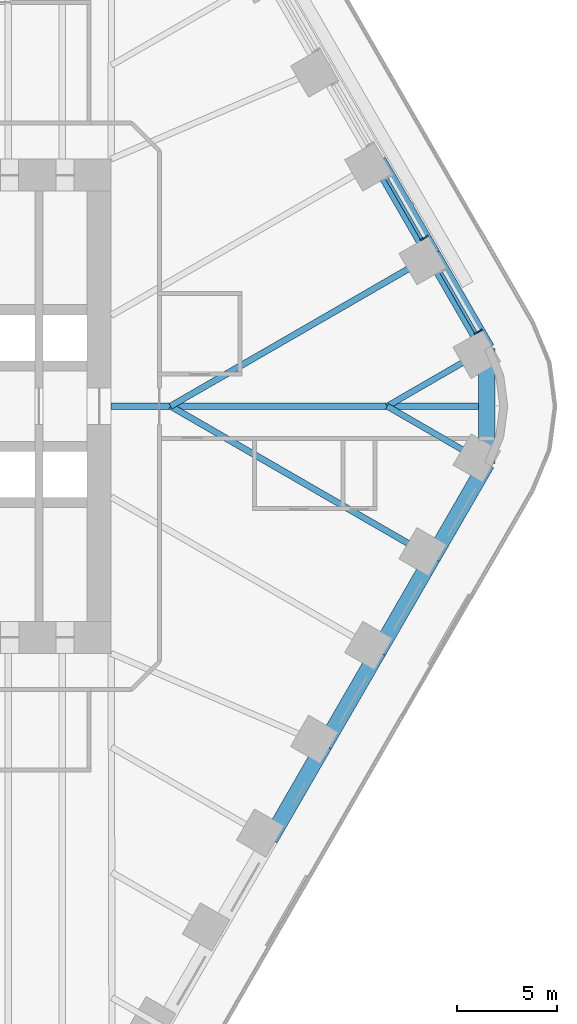
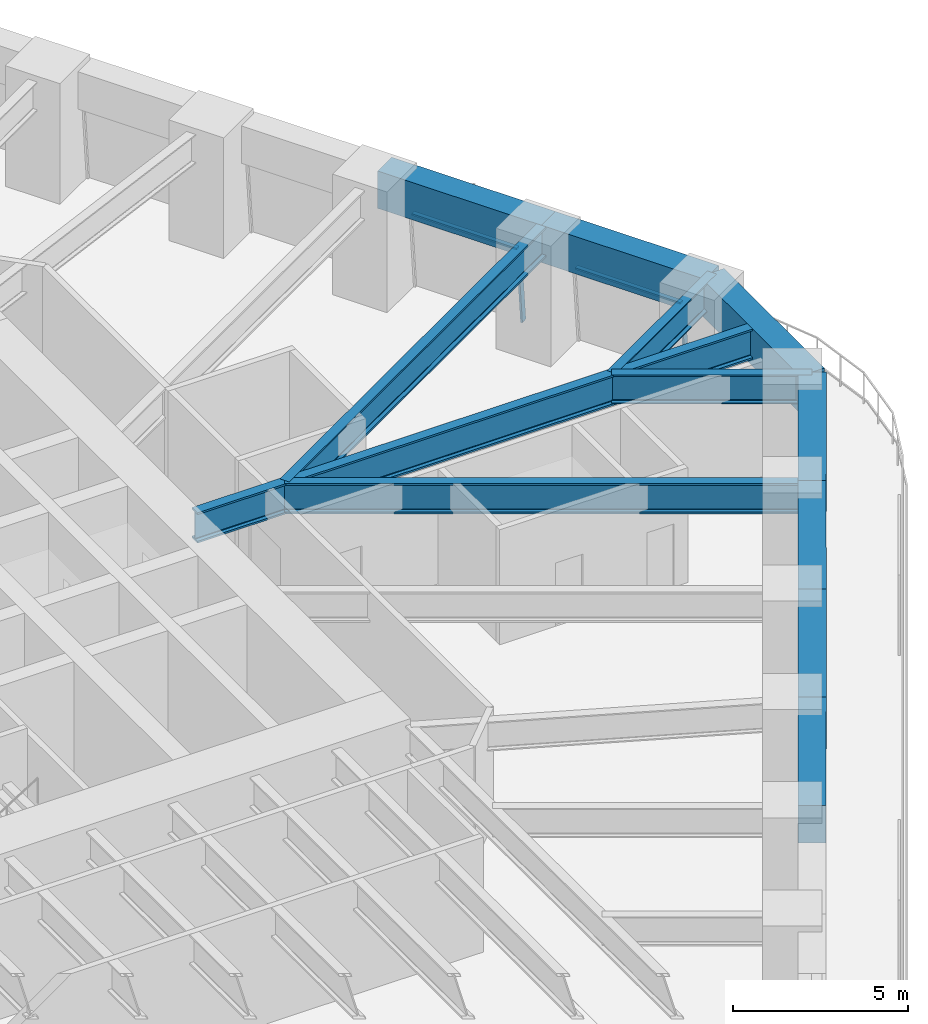
# One storey, part 12 of 23: 12 beams, 4 members, 2 elements without a shape of their own.
"""IFC4 building model written with IfcOpenShell, lengths in metres."""

from ifc_helpers import new_model, si_unit, direction, frame, origin, origin_2d, place, context, subcontext, project, spatial, rectangle, i_section, extrude, material, material_profile, profile_set, type_object, element, aggregate, save


model = new_model("IFC4")

# Units and contexts
model_context = context("Model", 3, precision=1e-05, world=origin(), true_north=direction((0.0, 1.0)))
body_context = subcontext(model_context, "Body", "Model", "MODEL_VIEW")
ifc_project = project(units=[si_unit("LENGTHUNIT", "METRE"), si_unit("AREAUNIT", "SQUARE_METRE"), si_unit("VOLUMEUNIT", "CUBIC_METRE"), si_unit("PLANEANGLEUNIT", "RADIAN"), si_unit("MASSUNIT", "GRAM", prefix="KILO")], contexts=[model_context])

# Site, building, storey
site_placement = place(None, origin())
site = spatial("IfcSite", under=ifc_project, at=site_placement, CompositionType="ELEMENT")
building_placement = place(site_placement, origin())
building = spatial("IfcBuilding", under=site, at=building_placement, Name="Tarfa Lantern Tower", CompositionType="ELEMENT")
storey_placement = place(building_placement, frame((0.0, 0.0, 99.10009765625)))
storey = spatial("IfcBuildingStorey", under=building, at=storey_placement, Name="L22", CompositionType="ELEMENT", Elevation=99.10009765625)

# Curtain wall, member
ifc_material_1 = material(Name="Aluminium framed curtain wall", Category="aluminium")
curtain_wall_type = type_object("IfcCurtainWallType", Name="CW1 CANTED GLAZING LOW ZONE 2700", PredefinedType="USERDEFINED", material=ifc_material_1)
curtain_wall_1_placement = place(storey_placement, origin())
curtain_wall_1 = element("IfcCurtainWall", 1, at=curtain_wall_1_placement, inside=storey, type_object=curtain_wall_type, Name="CW1 NE L22", ObjectType="CURTAIN WALL", PredefinedType="USERDEFINED")
ifc_material_2 = material(Name="Aluminium mullion", Category="aluminium")
ifc_material_profile_1 = material_profile(ifc_material_2, rectangle(XDim=0.06494140625, YDim=0.199951171875, at=origin_2d()), Name="AL MULLION 65x200")
ifc_profile_set_1 = profile_set([ifc_material_profile_1], Name="Aluminium mullion")
member_type_1 = type_object("IfcMemberType", Name="CWM1 MULLION 65x200", PredefinedType="MULLION", material=ifc_profile_set_1)
member_1_placement = place(storey_placement, frame((36.974853515625, 3.757568359375, 0.0), z_axis=(-0.07986442134, -0.046099868913, 0.99573916077), x_axis=(0.499919672301, -0.866071776036, 0.0)))
member_1 = element("IfcMember", 2, at=member_1_placement, type_object=member_type_1, Name="CW1 mullion 1", PredefinedType="MULLION", context=body_context, shape_type="SweptSolid", body=[
    extrude(rectangle(XDim=0.06494140625, YDim=0.199951171875, at=origin_2d()), origin(), (0.0, 0.0, 1.0), 2.71142578125),
])

curtain_wall_2_placement = place(storey_placement, origin())
curtain_wall_2 = element("IfcCurtainWall", 3, at=curtain_wall_2_placement, inside=storey, type_object=curtain_wall_type, Name="CW1 NE L22", ObjectType="CURTAIN WALL", PredefinedType="USERDEFINED")
member_2_placement = place(storey_placement, frame((34.280517578125, 8.42431640625, 0.0), z_axis=(-0.079774955866, -0.04610020023, 0.995746317068), x_axis=(0.500342721131, -0.865827443207, 0.0)))
member_2 = element("IfcMember", 4, at=member_2_placement, type_object=member_type_1, Name="CW1 mullion 1", PredefinedType="MULLION", context=body_context, shape_type="SweptSolid", body=[
    extrude(rectangle(XDim=0.06494140625, YDim=0.199951171875, at=origin_2d()), origin(), (0.0, 0.0, 1.0), 2.71142578125),
])

# Member
ifc_material_3 = material(Name="Aluminium transom", Category="aluminium")
ifc_material_profile_2 = material_profile(ifc_material_3, rectangle(XDim=0.14990234375, YDim=0.06494140625, at=origin_2d()), Name="AL TRANSOM 150x65")
ifc_profile_set_2 = profile_set([ifc_material_profile_2], Name="Aluminium transom")
member_type_2 = type_object("IfcMemberType", Name="CWT1 TRANSOM 150x65", PredefinedType="USERDEFINED", material=ifc_profile_set_2)
member_3_placement = place(storey_placement, frame((36.744873046875, 3.662109375, 2.66748046875), z_axis=(-0.500025915891, 0.866010440721, 0.0), x_axis=(-0.866010440721, -0.500025915891, 0.0)))
member_3 = element("IfcMember", 5, at=member_3_placement, type_object=member_type_2, Name="CW1 transom 1.2", ObjectType="TRANSOM", PredefinedType="USERDEFINED", context=body_context, shape_type="SweptSolid", body=[
    extrude(rectangle(XDim=0.14990234375, YDim=0.06494140625, at=origin_2d()), origin(), (0.0, 0.0, 1.0), 3.458740234375),
])

aggregate(curtain_wall_1, [member_1, member_3])

member_4_placement = place(storey_placement, frame((34.050537109375, 8.328857421875, 2.66748046875), z_axis=(-0.500025915891, 0.866010440721, 0.0), x_axis=(-0.866010440721, -0.500025915891, 0.0)))
member_4 = element("IfcMember", 6, at=member_4_placement, type_object=member_type_2, Name="CW1 transom 1.2", ObjectType="TRANSOM", PredefinedType="USERDEFINED", context=body_context, shape_type="SweptSolid", body=[
    extrude(rectangle(XDim=0.14990234375, YDim=0.06494140625, at=origin_2d()), origin(), (0.0, 0.0, 1.0), 3.458740234375),
])

aggregate(curtain_wall_2, [member_2, member_4])

# Beams
ifc_material_4 = material(Name="Concrete C80/95", Category="concrete")
ifc_material_profile_3 = material_profile(ifc_material_4, rectangle(XDim=0.800048828125, YDim=1.300048828125, at=origin_2d()), Name="RC 800x1300")
ifc_profile_set_3 = profile_set([ifc_material_profile_3], Name="Concrete C80/95")
beam_type_1 = type_object("IfcBeamType", Name="EB1 RC 800x1300", PredefinedType="SPANDREL", material=ifc_profile_set_3)
beam_1_placement = place(storey_placement, frame((37.285400390625, 2.860107421875, 3.349853515625), z_axis=(-0.500017906299, 0.866015065331, 0.0), x_axis=(-0.866015065331, -0.500017906299, 0.0)))
element("IfcBeam", 7, at=beam_1_placement, inside=storey, type_object=beam_type_1, Name="Edge beam NE0", PredefinedType="SPANDREL", context=body_context, shape_type="SweptSolid", body=[
    extrude(rectangle(XDim=0.800048828125, YDim=1.300048828125, at=origin_2d()), origin(), (0.0, 0.0, 1.0), 5.388427734375),
])
beam_2_placement = place(storey_placement, frame((34.591064453125, 7.526611328125, 3.349853515625), z_axis=(-0.499998287579, 0.866026392449, 0.0), x_axis=(-0.866026392449, -0.499998287579, 0.0)))
element("IfcBeam", 8, at=beam_2_placement, inside=storey, type_object=beam_type_1, Name="Edge beam NE1", PredefinedType="SPANDREL", context=body_context, shape_type="SweptSolid", body=[
    extrude(rectangle(XDim=0.800048828125, YDim=1.300048828125, at=origin_2d()), origin(), (0.0, 0.0, 1.0), 5.388671875),
])
beam_3_placement = place(storey_placement, frame((26.508056640625, -21.526611328125, 3.349853515625), z_axis=(0.500017906299, 0.866015065331, 0.0), x_axis=(-0.866015065331, 0.500017906299, 0.0)))
element("IfcBeam", 9, at=beam_3_placement, inside=storey, type_object=beam_type_1, Name="Edge beam SE2", PredefinedType="SPANDREL", context=body_context, shape_type="SweptSolid", body=[
    extrude(rectangle(XDim=0.800048828125, YDim=1.300048828125, at=origin_2d()), origin(), (0.0, 0.0, 1.0), 5.388427734375),
])
for number, where, z_axis, x_axis, name in (
    (10, (29.202392578125, -16.860107421875, 3.349853515625), (0.499998287579, 0.866026392449, 0.0), (-0.866026392449, 0.499998287579, 0.0), "Edge beam SE3"),
    (11, (31.896728515625, -12.193359375, 3.349853515625), (0.499998287579, 0.866026392449, 0.0), (-0.866026392449, 0.499998287579, 0.0), "Edge beam SE4"),
):
    element("IfcBeam", number, at=place(storey_placement, frame(where, z_axis=z_axis, x_axis=x_axis)), inside=storey, type_object=beam_type_1, Name=name, PredefinedType="SPANDREL", context=body_context, shape_type="SweptSolid", body=[
        extrude(rectangle(XDim=0.800048828125, YDim=1.300048828125, at=origin_2d()), origin(), (0.0, 0.0, 1.0), 5.388671875),
    ])
beam_4_placement = place(storey_placement, frame((34.591064453125, -7.526611328125, 3.349853515625), z_axis=(0.500017906299, 0.866015065331, 0.0), x_axis=(-0.866015065331, 0.500017906299, 0.0)))
element("IfcBeam", 12, at=beam_4_placement, inside=storey, type_object=beam_type_1, Name="Edge beam SE5", PredefinedType="SPANDREL", context=body_context, shape_type="SweptSolid", body=[
    extrude(rectangle(XDim=0.800048828125, YDim=1.300048828125, at=origin_2d()), origin(), (0.0, 0.0, 1.0), 5.388427734375),
])
beam_5_placement = place(storey_placement, frame((37.285400390625, -2.860107421875, 3.349853515625), z_axis=(0.0, 1.0, 0.0), x_axis=(-1.0, 0.0, 0.0)))
element("IfcBeam", 13, at=beam_5_placement, inside=storey, type_object=beam_type_1, Name="Edge beam SE6", PredefinedType="SPANDREL", context=body_context, shape_type="SweptSolid", body=[
    extrude(rectangle(XDim=0.800048828125, YDim=1.300048828125, at=origin_2d()), origin(), (0.0, 0.0, 1.0), 5.72021484375),
])
ifc_material_5 = material(Name="Steel S460M", Category="steel")
ifc_material_profile_4 = material_profile(ifc_material_5, i_section(OverallWidth=0.302001953125, OverallDepth=1.008056640625, WebThickness=0.02099609375, FlangeThickness=0.0400390625, FilletRadius=0.030029296875, at=origin_2d()), Name="UB1016x305x349")
ifc_profile_set_4 = profile_set([ifc_material_profile_4], Name="Steel S460M")
beam_type_2 = type_object("IfcBeamType", Name="UB1016x305x349", PredefinedType="BEAM", material=ifc_profile_set_4)
for number, where, z_axis, x_axis, name in (
    (14, (37.285400390625, 2.860107421875, 3.495849609375), (-0.866025668288, -0.499999541866, 0.0), (0.499999541866, -0.866025668288, 0.0), "Floor beam NE0"),
    (15, (37.285400390625, -2.860107421875, 3.495849609375), (-0.866025668288, 0.499999541866, 0.0), (-0.499999541866, -0.866025668288, 0.0), "Floor beam SE6"),
):
    element("IfcBeam", number, at=place(storey_placement, frame(where, z_axis=z_axis, x_axis=x_axis)), inside=storey, type_object=beam_type_2, Name=name, PredefinedType="BEAM", context=body_context, shape_type="SweptSolid", body=[
        extrude(i_section(OverallWidth=0.302001953125, OverallDepth=1.008056640625, WebThickness=0.02099609375, FlangeThickness=0.0400390625, FilletRadius=0.030029296875, at=origin_2d()), origin(), (0.0, 0.0, 1.0), 5.72021484375),
    ])
ifc_material_profile_5 = material_profile(ifc_material_5, i_section(OverallWidth=0.314208984375, OverallDepth=1.055908203125, WebThickness=0.035888671875, FlangeThickness=0.06396484375, FilletRadius=0.030029296875, at=origin_2d()), Name="UB1016x305x584")
ifc_profile_set_5 = profile_set([ifc_material_profile_5], Name="Steel S460M")
beam_type_3 = type_object("IfcBeamType", Name="UB1016x305x584", PredefinedType="BEAM", material=ifc_profile_set_5)
beam_6_placement = place(storey_placement, frame((18.60009765625, 0.0, 3.471923828125), z_axis=(1.0, 0.0, 0.0), x_axis=(0.0, 1.0, 0.0)))
element("IfcBeam", 16, at=beam_6_placement, inside=storey, type_object=beam_type_3, Name="Hip girder E", PredefinedType="BEAM", context=body_context, shape_type="SweptSolid", body=[
    extrude(i_section(OverallWidth=0.314208984375, OverallDepth=1.055908203125, WebThickness=0.035888671875, FlangeThickness=0.06396484375, FilletRadius=0.030029296875, at=origin_2d()), origin(), (0.0, 0.0, 1.0), 18.685302734375),
])
for number, where, z_axis, x_axis, name in (
    (17, (34.591064453125, 7.526611328125, 3.471923828125), (-0.86602785945, -0.499995746638, 0.0), (0.499995746638, -0.86602785945, 0.0), "Floor beam NE1"),
    (18, (34.591064453125, -7.526611328125, 3.471923828125), (-0.86602785945, 0.499995746638, 0.0), (-0.499995746638, -0.86602785945, 0.0), "Floor beam SE5"),
):
    element("IfcBeam", number, at=place(storey_placement, frame(where, z_axis=z_axis, x_axis=x_axis)), inside=storey, type_object=beam_type_3, Name=name, PredefinedType="BEAM", context=body_context, shape_type="SweptSolid", body=[
        extrude(i_section(OverallWidth=0.314208984375, OverallDepth=1.055908203125, WebThickness=0.035888671875, FlangeThickness=0.06396484375, FilletRadius=0.030029296875, at=origin_2d()), origin(), (0.0, 0.0, 1.0), 15.053466796875),
    ])

save(model, "model.ifc")
